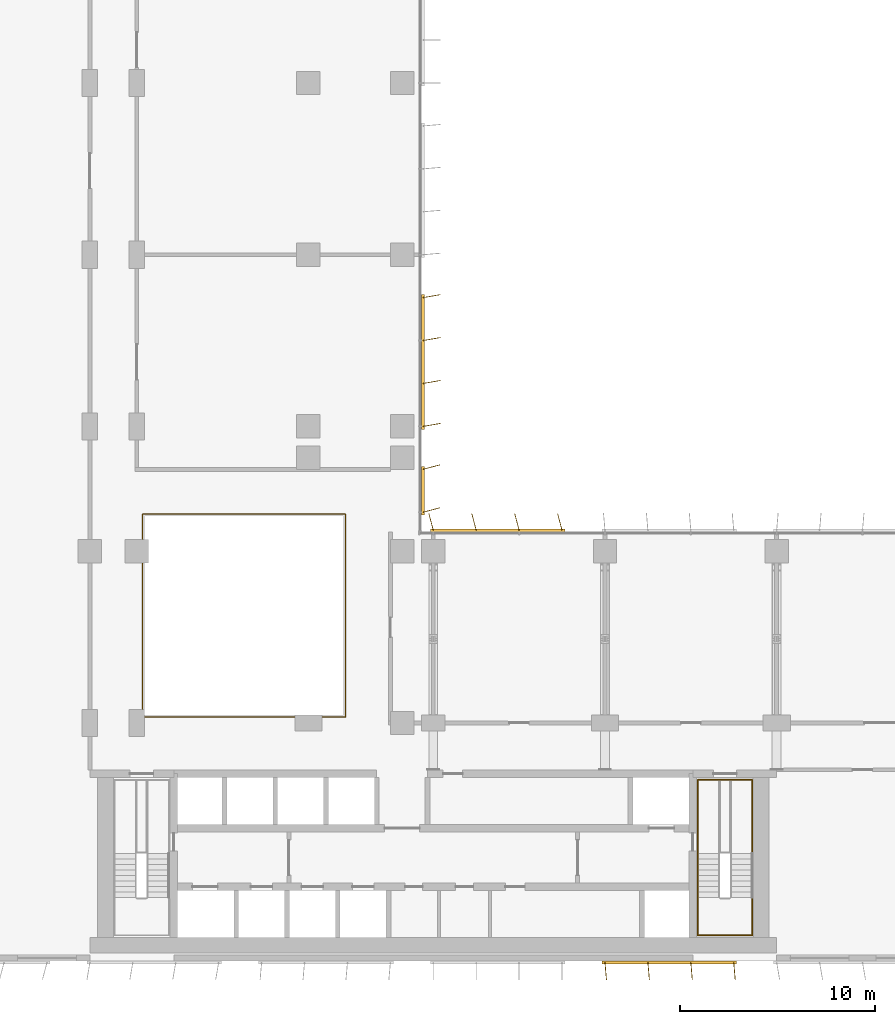
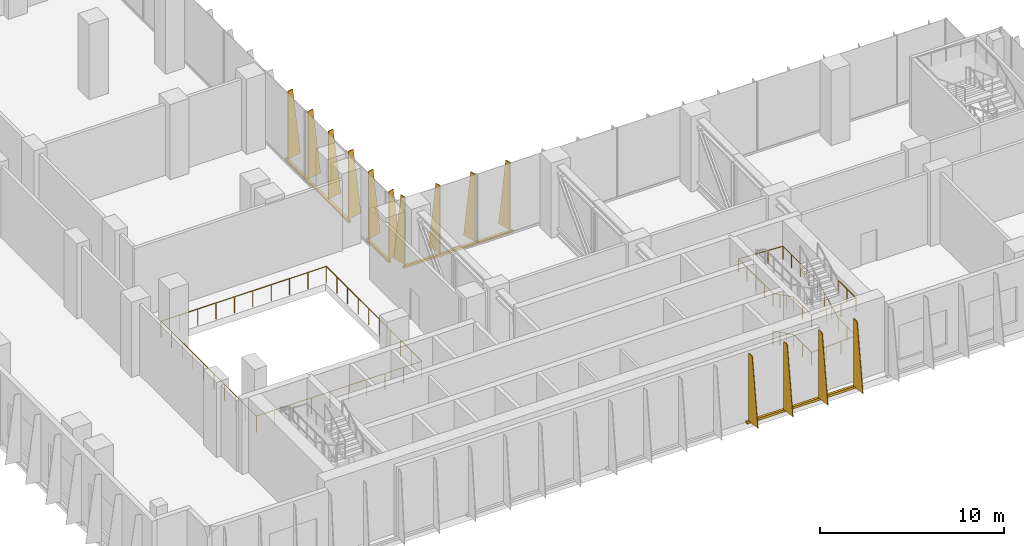
# One storey, part 17 of 21: 4 shading devices, 3 railings.
"""IFC4 building model written with IfcOpenShell, lengths in metres."""

from ifc_helpers import new_model, si_unit, direction, frame, origin, origin_2d, place, context, subcontext, project, spatial, polyline, rectangle, circle, outline, extrude, source, transform, mapped, material, layer, layer_set, type_object, element, save


model = new_model("IFC4")

# Units and contexts
model_context = context("Model", 3, precision=1e-05, world=origin(), true_north=direction((0.0, 1.0)))
body_context = subcontext(model_context, "Body", "Model", "MODEL_VIEW")
ifc_project = project(units=[si_unit("LENGTHUNIT", "METRE"), si_unit("AREAUNIT", "SQUARE_METRE"), si_unit("VOLUMEUNIT", "CUBIC_METRE"), si_unit("PLANEANGLEUNIT", "RADIAN"), si_unit("MASSUNIT", "GRAM", prefix="KILO")], contexts=[model_context])

# Site, building, storey
site_placement = place(None, origin())
site = spatial("IfcSite", under=ifc_project, at=site_placement, CompositionType="ELEMENT")
building_placement = place(site_placement, origin())
building = spatial("IfcBuilding", under=site, at=building_placement, Name="Kemantara Hotel Tower", CompositionType="ELEMENT")
storey_placement = place(building_placement, frame((0.0, 0.0, 133.300048828125)))
storey = spatial("IfcBuildingStorey", under=building, at=storey_placement, Name="L32", CompositionType="ELEMENT", Elevation=133.300048828125)

# Railings
ifc_material_1 = material(Name="Stainless steel balustrade", Category="steel")
railing_type_1 = type_object("IfcRailingType", Name="STAINLESS STEEL GUARD 1100", PredefinedType="GUARDRAIL", material=ifc_material_1)
railing_1_placement = place(storey_placement, frame((12.5, 12.5, 0.0)))
element("IfcRailing", 1, at=railing_1_placement, inside=storey, type_object=railing_type_1, Name="ATRIUM GUARD", PredefinedType="GUARDRAIL", context=body_context, shape_type="SweptSolid", body=[
    extrude(circle(Radius=0.02392578125, at=origin_2d()), frame((0.0, 0.0, 1.076171875), z_axis=(1.0, 0.0, 0.0), x_axis=(0.0, 1.0, 0.0)), (0.0, 0.0, 1.0), 10.39990234375),
    extrude(circle(Radius=0.02392578125, at=origin_2d()), frame((10.39990234375, 0.0, 1.076171875), z_axis=(0.0, 1.0, 0.0), x_axis=(-1.0, 0.0, 0.0)), (0.0, 0.0, 1.0), 10.39990234375),
    extrude(circle(Radius=0.02392578125, at=origin_2d()), frame((10.39990234375, 10.39990234375, 1.076171875), z_axis=(-1.0, 0.0, 0.0), x_axis=(0.0, -1.0, 0.0)), (0.0, 0.0, 1.0), 10.39990234375),
    extrude(circle(Radius=0.02392578125, at=origin_2d()), frame((0.0, 10.39990234375, 1.076171875), z_axis=(0.0, -1.0, 0.0), x_axis=(1.0, 0.0, 0.0)), (0.0, 0.0, 1.0), 10.39990234375),
    extrude(circle(Radius=0.02099609375, at=origin_2d()), origin(), (0.0, 0.0, 1.0), 1.052001953125),
    extrude(circle(Radius=0.02099609375, at=origin_2d()), frame((1.155517578125, 0.0, 0.0)), (0.0, 0.0, 1.0), 1.052001953125),
    extrude(circle(Radius=0.02099609375, at=origin_2d()), frame((2.31103515625, 0.0, 0.0)), (0.0, 0.0, 1.0), 1.052001953125),
    extrude(circle(Radius=0.02099609375, at=origin_2d()), frame((3.466552734375, 0.0, 0.0)), (0.0, 0.0, 1.0), 1.052001953125),
    extrude(circle(Radius=0.02099609375, at=origin_2d()), frame((4.6220703125, 0.0, 0.0)), (0.0, 0.0, 1.0), 1.052001953125),
    extrude(circle(Radius=0.02099609375, at=origin_2d()), frame((5.77783203125, 0.0, 0.0)), (0.0, 0.0, 1.0), 1.052001953125),
    extrude(circle(Radius=0.02099609375, at=origin_2d()), frame((6.933349609375, 0.0, 0.0)), (0.0, 0.0, 1.0), 1.052001953125),
    extrude(circle(Radius=0.02099609375, at=origin_2d()), frame((8.0888671875, 0.0, 0.0)), (0.0, 0.0, 1.0), 1.052001953125),
    extrude(circle(Radius=0.02099609375, at=origin_2d()), frame((9.244384765625, 0.0, 0.0)), (0.0, 0.0, 1.0), 1.052001953125),
    extrude(circle(Radius=0.02099609375, at=origin_2d()), frame((10.39990234375, 0.0, 0.0)), (0.0, 0.0, 1.0), 1.052001953125),
    extrude(circle(Radius=0.02099609375, at=origin_2d()), frame((10.39990234375, 1.155517578125, 0.0)), (0.0, 0.0, 1.0), 1.052001953125),
    extrude(circle(Radius=0.02099609375, at=origin_2d()), frame((10.39990234375, 2.31103515625, 0.0)), (0.0, 0.0, 1.0), 1.052001953125),
    extrude(circle(Radius=0.02099609375, at=origin_2d()), frame((10.39990234375, 3.466552734375, 0.0)), (0.0, 0.0, 1.0), 1.052001953125),
    extrude(circle(Radius=0.02099609375, at=origin_2d()), frame((10.39990234375, 4.6220703125, 0.0)), (0.0, 0.0, 1.0), 1.052001953125),
    extrude(circle(Radius=0.02099609375, at=origin_2d()), frame((10.39990234375, 5.77783203125, 0.0)), (0.0, 0.0, 1.0), 1.052001953125),
    extrude(circle(Radius=0.02099609375, at=origin_2d()), frame((10.39990234375, 6.933349609375, 0.0)), (0.0, 0.0, 1.0), 1.052001953125),
    extrude(circle(Radius=0.02099609375, at=origin_2d()), frame((10.39990234375, 8.0888671875, 0.0)), (0.0, 0.0, 1.0), 1.052001953125),
    extrude(circle(Radius=0.02099609375, at=origin_2d()), frame((10.39990234375, 9.244384765625, 0.0)), (0.0, 0.0, 1.0), 1.052001953125),
    extrude(circle(Radius=0.02099609375, at=origin_2d()), frame((10.39990234375, 10.39990234375, 0.0)), (0.0, 0.0, 1.0), 1.052001953125),
    extrude(circle(Radius=0.02099609375, at=origin_2d()), frame((9.244384765625, 10.39990234375, 0.0)), (0.0, 0.0, 1.0), 1.052001953125),
    extrude(circle(Radius=0.02099609375, at=origin_2d()), frame((8.0888671875, 10.39990234375, 0.0)), (0.0, 0.0, 1.0), 1.052001953125),
    extrude(circle(Radius=0.02099609375, at=origin_2d()), frame((6.933349609375, 10.39990234375, 0.0)), (0.0, 0.0, 1.0), 1.052001953125),
    extrude(circle(Radius=0.02099609375, at=origin_2d()), frame((5.77783203125, 10.39990234375, 0.0)), (0.0, 0.0, 1.0), 1.052001953125),
    extrude(circle(Radius=0.02099609375, at=origin_2d()), frame((4.6220703125, 10.39990234375, 0.0)), (0.0, 0.0, 1.0), 1.052001953125),
    extrude(circle(Radius=0.02099609375, at=origin_2d()), frame((3.466552734375, 10.39990234375, 0.0)), (0.0, 0.0, 1.0), 1.052001953125),
    extrude(circle(Radius=0.02099609375, at=origin_2d()), frame((2.31103515625, 10.39990234375, 0.0)), (0.0, 0.0, 1.0), 1.052001953125),
    extrude(circle(Radius=0.02099609375, at=origin_2d()), frame((1.155517578125, 10.39990234375, 0.0)), (0.0, 0.0, 1.0), 1.052001953125),
    extrude(circle(Radius=0.02099609375, at=origin_2d()), frame((0.0, 10.39990234375, 0.0)), (0.0, 0.0, 1.0), 1.052001953125),
    extrude(circle(Radius=0.02099609375, at=origin_2d()), frame((0.0, 9.244384765625, 0.0)), (0.0, 0.0, 1.0), 1.052001953125),
    extrude(circle(Radius=0.02099609375, at=origin_2d()), frame((0.0, 8.0888671875, 0.0)), (0.0, 0.0, 1.0), 1.052001953125),
    extrude(circle(Radius=0.02099609375, at=origin_2d()), frame((0.0, 6.933349609375, 0.0)), (0.0, 0.0, 1.0), 1.052001953125),
    extrude(circle(Radius=0.02099609375, at=origin_2d()), frame((0.0, 5.77783203125, 0.0)), (0.0, 0.0, 1.0), 1.052001953125),
    extrude(circle(Radius=0.02099609375, at=origin_2d()), frame((0.0, 4.6220703125, 0.0)), (0.0, 0.0, 1.0), 1.052001953125),
    extrude(circle(Radius=0.02099609375, at=origin_2d()), frame((0.0, 3.466552734375, 0.0)), (0.0, 0.0, 1.0), 1.052001953125),
    extrude(circle(Radius=0.02099609375, at=origin_2d()), frame((0.0, 2.31103515625, 0.0)), (0.0, 0.0, 1.0), 1.052001953125),
    extrude(circle(Radius=0.02099609375, at=origin_2d()), frame((0.0, 1.155517578125, 0.0)), (0.0, 0.0, 1.0), 1.052001953125),
])
railing_type_2 = type_object("IfcRailingType", Name="Stair handrail 900 mm", PredefinedType="HANDRAIL", material=ifc_material_1)
railing_2_placement = place(storey_placement, frame((40.949951171875, 5.5, 0.138916015625)))
element("IfcRailing", 2, at=railing_2_placement, inside=storey, type_object=railing_type_2, Name="L32 ST2 stair handrail 1", PredefinedType="HANDRAIL", context=body_context, shape_type="SweptSolid", body=[
    extrude(circle(Radius=0.02392578125, at=origin_2d()), frame((0.0, 0.0, 0.8759765625), z_axis=(0.0, -0.895848192791, 0.444360231651), x_axis=(1.0, 0.0, 0.0)), (0.0, 0.0, 1.0), 2.50048828125),
    extrude(circle(Radius=0.02392578125, at=origin_2d()), frame((0.0, -2.239990234375, 1.98681640625), z_axis=(0.0, -1.0, 0.0), x_axis=(1.0, 0.0, 0.0)), (0.0, 0.0, 1.0), 1.93994140625),
    extrude(circle(Radius=0.02392578125, at=origin_2d()), frame((0.0, -4.179931640625, 1.98681640625), z_axis=(0.998771592041, 0.0, 0.049551053786), x_axis=(0.0, 1.0, 0.0)), (0.0, 0.0, 1.0), 2.803466796875),
    extrude(circle(Radius=0.02392578125, at=origin_2d()), frame((2.800048828125, -4.179931640625, 2.1259765625), z_axis=(0.0, 1.0, 0.0), x_axis=(-1.0, 0.0, 0.0)), (0.0, 0.0, 1.0), 1.93994140625),
    extrude(circle(Radius=0.02392578125, at=origin_2d()), frame((2.800048828125, -2.239990234375, 2.1259765625), z_axis=(0.0, 0.895848192791, 0.444360231651), x_axis=(-1.0, 0.0, 0.0)), (0.0, 0.0, 1.0), 2.50048828125),
    extrude(circle(Radius=0.02392578125, at=origin_2d()), frame((2.800048828125, 0.0, 3.23681640625), z_axis=(0.0, 1.0, 0.0), x_axis=(-1.0, 0.0, 0.0)), (0.0, 0.0, 1.0), 3.780029296875),
    extrude(circle(Radius=0.02099609375, at=origin_2d()), origin(), (0.0, 0.0, 1.0), 0.851806640625),
    extrude(circle(Radius=0.02099609375, at=origin_2d()), frame((0.0, -0.74658203125, 0.370361328125)), (0.0, 0.0, 1.0), 0.851806640625),
    extrude(circle(Radius=0.02099609375, at=origin_2d()), frame((0.0, -1.493408203125, 0.74072265625)), (0.0, 0.0, 1.0), 0.851806640625),
    extrude(circle(Radius=0.02099609375, at=origin_2d()), frame((0.0, -2.239990234375, 1.111083984375)), (0.0, 0.0, 1.0), 0.851806640625),
    extrude(circle(Radius=0.02099609375, at=origin_2d()), frame((0.0, -3.2099609375, 1.111083984375)), (0.0, 0.0, 1.0), 0.851806640625),
    extrude(circle(Radius=0.02099609375, at=origin_2d()), frame((0.0, -4.179931640625, 1.111083984375)), (0.0, 0.0, 1.0), 0.851806640625),
    extrude(circle(Radius=0.02099609375, at=origin_2d()), frame((0.933349609375, -4.179931640625, 1.157470703125)), (0.0, 0.0, 1.0), 0.851806640625),
    extrude(circle(Radius=0.02099609375, at=origin_2d()), frame((1.86669921875, -4.179931640625, 1.20361328125)), (0.0, 0.0, 1.0), 0.851806640625),
    extrude(circle(Radius=0.02099609375, at=origin_2d()), frame((2.800048828125, -4.179931640625, 1.25)), (0.0, 0.0, 1.0), 0.851806640625),
    extrude(circle(Radius=0.02099609375, at=origin_2d()), frame((2.800048828125, -3.2099609375, 1.25)), (0.0, 0.0, 1.0), 0.851806640625),
    extrude(circle(Radius=0.02099609375, at=origin_2d()), frame((2.800048828125, -2.239990234375, 1.25)), (0.0, 0.0, 1.0), 0.851806640625),
    extrude(circle(Radius=0.02099609375, at=origin_2d()), frame((2.800048828125, -1.493408203125, 1.620361328125)), (0.0, 0.0, 1.0), 0.851806640625),
    extrude(circle(Radius=0.02099609375, at=origin_2d()), frame((2.800048828125, -0.74658203125, 1.99072265625)), (0.0, 0.0, 1.0), 0.851806640625),
    extrude(circle(Radius=0.02099609375, at=origin_2d()), frame((2.800048828125, 0.0, 2.361083984375)), (0.0, 0.0, 1.0), 0.851806640625),
    extrude(circle(Radius=0.02099609375, at=origin_2d()), frame((2.800048828125, 0.945068359375, 2.361083984375)), (0.0, 0.0, 1.0), 0.851806640625),
    extrude(circle(Radius=0.02099609375, at=origin_2d()), frame((2.800048828125, 1.89013671875, 2.361083984375)), (0.0, 0.0, 1.0), 0.851806640625),
    extrude(circle(Radius=0.02099609375, at=origin_2d()), frame((2.800048828125, 2.8349609375, 2.361083984375)), (0.0, 0.0, 1.0), 0.851806640625),
    extrude(circle(Radius=0.02099609375, at=origin_2d()), frame((2.800048828125, 3.780029296875, 2.361083984375)), (0.0, 0.0, 1.0), 0.851806640625),
])
railing_3_placement = place(storey_placement, frame((43.75, 9.280029296875, 2.5)))
element("IfcRailing", 3, at=railing_3_placement, inside=storey, type_object=railing_type_2, Name="L32 ST2 stair handrail 2", PredefinedType="HANDRAIL", context=body_context, shape_type="SweptSolid", body=[
    extrude(circle(Radius=0.02392578125, at=origin_2d()), frame((0.0, 0.0, 0.8759765625), z_axis=(-0.998771592041, 0.0, 0.049551053786), x_axis=(0.0, -1.0, 0.0)), (0.0, 0.0, 1.0), 2.803466796875),
    extrude(circle(Radius=0.02392578125, at=origin_2d()), frame((-2.800048828125, 0.0, 1.0146484375), z_axis=(0.0, -1.0, 0.0), x_axis=(1.0, 0.0, 0.0)), (0.0, 0.0, 1.0), 3.780029296875),
    extrude(circle(Radius=0.02392578125, at=origin_2d()), frame((-2.800048828125, -3.780029296875, 1.0146484375), z_axis=(0.0, -0.895848192791, 0.444360231651), x_axis=(1.0, 0.0, 0.0)), (0.0, 0.0, 1.0), 2.50048828125),
    extrude(circle(Radius=0.02392578125, at=origin_2d()), frame((-2.800048828125, -6.02001953125, 2.1259765625), z_axis=(0.0, -1.0, 0.0), x_axis=(1.0, 0.0, 0.0)), (0.0, 0.0, 1.0), 1.93994140625),
    extrude(circle(Radius=0.02392578125, at=origin_2d()), frame((-2.800048828125, -7.9599609375, 2.1259765625), z_axis=(0.998771592041, 0.0, 0.049551053786), x_axis=(0.0, 1.0, 0.0)), (0.0, 0.0, 1.0), 2.803466796875),
    extrude(circle(Radius=0.02392578125, at=origin_2d()), frame((0.0, -7.9599609375, 2.2646484375), z_axis=(0.0, 1.0, 0.0), x_axis=(-1.0, 0.0, 0.0)), (0.0, 0.0, 1.0), 1.93994140625),
    extrude(circle(Radius=0.02099609375, at=origin_2d()), origin(), (0.0, 0.0, 1.0), 0.851806640625),
    extrude(circle(Radius=0.02099609375, at=origin_2d()), frame((-0.933349609375, 0.0, 0.04638671875)), (0.0, 0.0, 1.0), 0.851806640625),
    extrude(circle(Radius=0.02099609375, at=origin_2d()), frame((-1.86669921875, 0.0, 0.092529296875)), (0.0, 0.0, 1.0), 0.851806640625),
    extrude(circle(Radius=0.02099609375, at=origin_2d()), frame((-2.800048828125, 0.0, 0.138916015625)), (0.0, 0.0, 1.0), 0.851806640625),
    extrude(circle(Radius=0.02099609375, at=origin_2d()), frame((-2.800048828125, -0.945068359375, 0.138916015625)), (0.0, 0.0, 1.0), 0.851806640625),
    extrude(circle(Radius=0.02099609375, at=origin_2d()), frame((-2.800048828125, -1.89013671875, 0.138916015625)), (0.0, 0.0, 1.0), 0.851806640625),
    extrude(circle(Radius=0.02099609375, at=origin_2d()), frame((-2.800048828125, -2.8349609375, 0.138916015625)), (0.0, 0.0, 1.0), 0.851806640625),
    extrude(circle(Radius=0.02099609375, at=origin_2d()), frame((-2.800048828125, -3.780029296875, 0.138916015625)), (0.0, 0.0, 1.0), 0.851806640625),
    extrude(circle(Radius=0.02099609375, at=origin_2d()), frame((-2.800048828125, -4.526611328125, 0.50927734375)), (0.0, 0.0, 1.0), 0.851806640625),
    extrude(circle(Radius=0.02099609375, at=origin_2d()), frame((-2.800048828125, -5.2734375, 0.879638671875)), (0.0, 0.0, 1.0), 0.851806640625),
    extrude(circle(Radius=0.02099609375, at=origin_2d()), frame((-2.800048828125, -6.02001953125, 1.25)), (0.0, 0.0, 1.0), 0.851806640625),
    extrude(circle(Radius=0.02099609375, at=origin_2d()), frame((-2.800048828125, -6.989990234375, 1.25)), (0.0, 0.0, 1.0), 0.851806640625),
    extrude(circle(Radius=0.02099609375, at=origin_2d()), frame((-2.800048828125, -7.9599609375, 1.25)), (0.0, 0.0, 1.0), 0.851806640625),
    extrude(circle(Radius=0.02099609375, at=origin_2d()), frame((-1.86669921875, -7.9599609375, 1.29638671875)), (0.0, 0.0, 1.0), 0.851806640625),
    extrude(circle(Radius=0.02099609375, at=origin_2d()), frame((-0.933349609375, -7.9599609375, 1.342529296875)), (0.0, 0.0, 1.0), 0.851806640625),
    extrude(circle(Radius=0.02099609375, at=origin_2d()), frame((0.0, -7.9599609375, 1.388916015625)), (0.0, 0.0, 1.0), 0.851806640625),
    extrude(circle(Radius=0.02099609375, at=origin_2d()), frame((0.0, -6.989990234375, 1.388916015625)), (0.0, 0.0, 1.0), 0.851806640625),
    extrude(circle(Radius=0.02099609375, at=origin_2d()), frame((0.0, -6.02001953125, 1.388916015625)), (0.0, 0.0, 1.0), 0.851806640625),
])

# Shading devices
ifc_material_2 = material(Name="Perforated aluminium plate 4 mm bronze anodised", Category="aluminium")
ifc_layer_1 = layer(ifc_material_2, 0.0400390625)
ifc_layer_set_1 = layer_set([ifc_layer_1], Name="Perforated aluminium plate 4 mm bronze anodised")
shading_device_type_1 = type_object("IfcShadingDeviceType", Name="SCREEN FIN CASSETTE, 4 BLADES AT +5.0 DEG, 4500 HIGH", PredefinedType="USERDEFINED", material=ifc_layer_set_1)
shared_shape_1 = source(origin(), body_context, "Body", "SweptSolid", [
    extrude(rectangle(XDim=6.89990234375, YDim=0.14990234375, at=origin_2d()), frame((3.300048828125, -0.074951171875, -0.14990234375), z_axis=(0.0, 0.0, 1.0), x_axis=(1.0, 0.0, 0.0)), (0.0, 0.0, 1.0), 0.14990234375),
    extrude(outline(polyline([(0.0, 0.0), (0.89990234375, 0.0), (0.35009765625, 4.5), (0.0, 4.5), (0.0, 0.0)])), frame((0.02001953125, -0.0732421875, 0.0), z_axis=(-0.996376129781, -0.085056498884, 0.0), x_axis=(0.085056498884, -0.996376129781, 0.0)), (0.0, 0.0, 1.0), 0.040283203125),
    extrude(outline(polyline([(0.0, 0.0), (0.89990234375, 0.0), (0.35009765625, 4.5), (0.0, 4.5), (0.0, 0.0)])), frame((2.219970703125, -0.0732421875, 0.0), z_axis=(-0.996331773833, -0.085574508182, 0.0), x_axis=(0.085574508182, -0.996331773833, 0.0)), (0.0, 0.0, 1.0), 0.0400390625),
    extrude(outline(polyline([(0.0, 0.0), (0.89990234375, 0.0), (0.35009765625, 4.5), (0.0, 4.5), (0.0, 0.0)])), frame((4.419921875, -0.0732421875, 0.0), z_axis=(-0.996331773833, -0.085574508182, 0.0), x_axis=(0.085574508182, -0.996331773833, 0.0)), (0.0, 0.0, 1.0), 0.0400390625),
    extrude(outline(polyline([(0.0, 0.0), (0.89990234375, 0.0), (0.35009765625, 4.5), (0.0, 4.5), (0.0, 0.0)])), frame((6.619873046875, -0.0732421875, 0.0), z_axis=(-0.996331773833, -0.085574508182, 0.0), x_axis=(0.085574508182, -0.996331773833, 0.0)), (0.0, 0.0, 1.0), 0.0400390625),
])
shading_device_1_placement = place(storey_placement, frame((36.199951171875, 0.0, 0.099853515625), z_axis=(0.0, 0.0, 1.0), x_axis=(1.0, 0.0, 0.0)))
element("IfcShadingDevice", 4, at=shading_device_1_placement, inside=storey, type_object=shading_device_type_1, Name="SCREEN FIN CASSETTE L32 T2-R07-5", ObjectType="SCREEN FIN", PredefinedType="USERDEFINED", context=body_context, shape_type="MappedRepresentation", body=[
    mapped(shared_shape_1, transform((0.0, 0.0, 0.0))),
])
ifc_layer_2 = layer(ifc_material_2, 0.0400390625)
ifc_layer_set_2 = layer_set([ifc_layer_2], Name="Perforated aluminium plate 4 mm bronze anodised")
shading_device_type_2 = type_object("IfcShadingDeviceType", Name="SCREEN FIN CASSETTE, 4 BLADES AT +10.0 DEG, 4500 HIGH", PredefinedType="USERDEFINED", material=ifc_layer_set_2)
shared_shape_2 = source(origin(), body_context, "Body", "SweptSolid", [
    extrude(rectangle(XDim=6.89990234375, YDim=0.14990234375, at=origin_2d()), frame((3.300048828125, -0.074951171875, -0.14990234375), z_axis=(0.0, 0.0, 1.0), x_axis=(1.0, 0.0, 0.0)), (0.0, 0.0, 1.0), 0.14990234375),
    extrude(outline(polyline([(0.0, 0.0), (0.89990234375, 0.0), (0.35009765625, 4.5), (0.0, 4.5), (0.0, 0.0)])), frame((0.019775390625, -0.071533203125, 0.0), z_axis=(-0.985389793052, -0.170314285219, 0.0), x_axis=(0.170314285219, -0.985389793052, 0.0)), (0.0, 0.0, 1.0), 0.0400390625),
    extrude(outline(polyline([(0.0, 0.0), (0.89990234375, 0.0), (0.35009765625, 4.5), (0.0, 4.5), (0.0, 0.0)])), frame((2.2197265625, -0.071533203125, 0.0), z_axis=(-0.98521175482, -0.171341174751, 0.0), x_axis=(0.171341174751, -0.98521175482, 0.0)), (0.0, 0.0, 1.0), 0.039794921875),
    extrude(outline(polyline([(0.0, 0.0), (0.89990234375, 0.0), (0.35009765625, 4.5), (0.0, 4.5), (0.0, 0.0)])), frame((4.419677734375, -0.071533203125, 0.0), z_axis=(-0.98521175482, -0.171341174751, 0.0), x_axis=(0.171341174751, -0.98521175482, 0.0)), (0.0, 0.0, 1.0), 0.039794921875),
    extrude(outline(polyline([(0.0, 0.0), (0.89990234375, 0.0), (0.35009765625, 4.5), (0.0, 4.5), (0.0, 0.0)])), frame((6.61962890625, -0.071533203125, 0.0), z_axis=(-0.98521175482, -0.171341174751, 0.0), x_axis=(0.171341174751, -0.98521175482, 0.0)), (0.0, 0.0, 1.0), 0.039794921875),
])
shading_device_2_placement = place(storey_placement, frame((26.800048828125, 27.39990234375, 0.099853515625), z_axis=(0.0, 0.0, 1.0), x_axis=(0.0, 1.0, 0.0)))
element("IfcShadingDevice", 5, at=shading_device_2_placement, inside=storey, type_object=shading_device_type_2, Name="SCREEN FIN CASSETTE L32 T2-R14-2", ObjectType="SCREEN FIN", PredefinedType="USERDEFINED", context=body_context, shape_type="MappedRepresentation", body=[
    mapped(shared_shape_2, transform((0.0, 0.0, 0.0))),
])
ifc_layer_3 = layer(ifc_material_2, 0.0400390625)
ifc_layer_set_3 = layer_set([ifc_layer_3], Name="Perforated aluminium plate 4 mm bronze anodised")
shading_device_type_3 = type_object("IfcShadingDeviceType", Name="SCREEN FIN CASSETTE, 4 BLADES AT +15.0 DEG, 4500 HIGH", PredefinedType="USERDEFINED", material=ifc_layer_set_3)
shared_shape_3 = source(origin(), body_context, "Body", "SweptSolid", [
    extrude(rectangle(XDim=6.89990234375, YDim=0.14990234375, at=origin_2d()), frame((3.300048828125, -0.074951171875, -0.14990234375), z_axis=(0.0, 0.0, 1.0), x_axis=(1.0, 0.0, 0.0)), (0.0, 0.0, 1.0), 0.14990234375),
    extrude(outline(polyline([(0.0, 0.0), (0.89990234375, 0.0), (0.35009765625, 4.5), (0.0, 4.5), (0.0, 0.0)])), frame((0.019287109375, -0.06982421875, 0.0), z_axis=(-0.966437683387, -0.256901156343, 0.0), x_axis=(0.256901156343, -0.966437683387, 0.0)), (0.0, 0.0, 1.0), 0.039794921875),
    extrude(outline(polyline([(0.0, 0.0), (0.89990234375, 0.0), (0.35009765625, 4.5), (0.0, 4.5), (0.0, 0.0)])), frame((2.21923828125, -0.06982421875, 0.0), z_axis=(-0.966437683387, -0.256901156343, 0.0), x_axis=(0.256901156343, -0.966437683387, 0.0)), (0.0, 0.0, 1.0), 0.039794921875),
    extrude(outline(polyline([(0.0, 0.0), (0.89990234375, 0.0), (0.35009765625, 4.5), (0.0, 4.5), (0.0, 0.0)])), frame((4.41943359375, -0.06982421875, 0.0), z_axis=(-0.966837822169, -0.255391122837, 0.0), x_axis=(0.255391122837, -0.966837822169, 0.0)), (0.0, 0.0, 1.0), 0.0400390625),
    extrude(outline(polyline([(0.0, 0.0), (0.89990234375, 0.0), (0.35009765625, 4.5), (0.0, 4.5), (0.0, 0.0)])), frame((6.619384765625, -0.06982421875, 0.0), z_axis=(-0.966837822169, -0.255391122837, 0.0), x_axis=(0.255391122837, -0.966837822169, 0.0)), (0.0, 0.0, 1.0), 0.0400390625),
])
shading_device_3_placement = place(storey_placement, frame((34.0, 22.0, 0.099853515625), z_axis=(0.0, 0.0, 1.0), x_axis=(-1.0, 0.0, 0.0)))
element("IfcShadingDevice", 6, at=shading_device_3_placement, inside=storey, type_object=shading_device_type_3, Name="SCREEN FIN CASSETTE L32 T2-R13-4", ObjectType="SCREEN FIN", PredefinedType="USERDEFINED", context=body_context, shape_type="MappedRepresentation", body=[
    mapped(shared_shape_3, transform((0.0, 0.0, 0.0))),
])
ifc_layer_4 = layer(ifc_material_2, 0.0400390625)
ifc_layer_set_4 = layer_set([ifc_layer_4], Name="Perforated aluminium plate 4 mm bronze anodised")
shading_device_type_4 = type_object("IfcShadingDeviceType", Name="SCREEN FIN CASSETTE, 2 BLADES AT +15.0 DEG, 4500 HIGH", PredefinedType="USERDEFINED", material=ifc_layer_set_4)
shared_shape_4 = source(origin(), body_context, "Body", "SweptSolid", [
    extrude(rectangle(XDim=2.5, YDim=0.14990234375, at=origin_2d()), frame((1.10009765625, -0.074951171875, -0.14990234375), z_axis=(0.0, 0.0, 1.0), x_axis=(1.0, 0.0, 0.0)), (0.0, 0.0, 1.0), 0.14990234375),
    extrude(outline(polyline([(0.0, 0.0), (0.89990234375, 0.0), (0.35009765625, 4.5), (0.0, 4.5), (0.0, 0.0)])), frame((0.019287109375, -0.06982421875, 0.0), z_axis=(-0.966437683387, -0.256901156343, 0.0), x_axis=(0.256901156343, -0.966437683387, 0.0)), (0.0, 0.0, 1.0), 0.039794921875),
    extrude(outline(polyline([(0.0, 0.0), (0.89990234375, 0.0), (0.35009765625, 4.5), (0.0, 4.5), (0.0, 0.0)])), frame((2.21923828125, -0.06982421875, 0.0), z_axis=(-0.966437683387, -0.256901156343, 0.0), x_axis=(0.256901156343, -0.966437683387, 0.0)), (0.0, 0.0, 1.0), 0.039794921875),
])
shading_device_4_placement = place(storey_placement, frame((26.800048828125, 23.0, 0.099853515625), z_axis=(0.0, 0.0, 1.0), x_axis=(0.0, 1.0, 0.0)))
element("IfcShadingDevice", 7, at=shading_device_4_placement, inside=storey, type_object=shading_device_type_4, Name="SCREEN FIN CASSETTE L32 T2-R14-1", ObjectType="SCREEN FIN", PredefinedType="USERDEFINED", context=body_context, shape_type="MappedRepresentation", body=[
    mapped(shared_shape_4, transform((0.0, 0.0, 0.0))),
])

save(model, "model.ifc")
